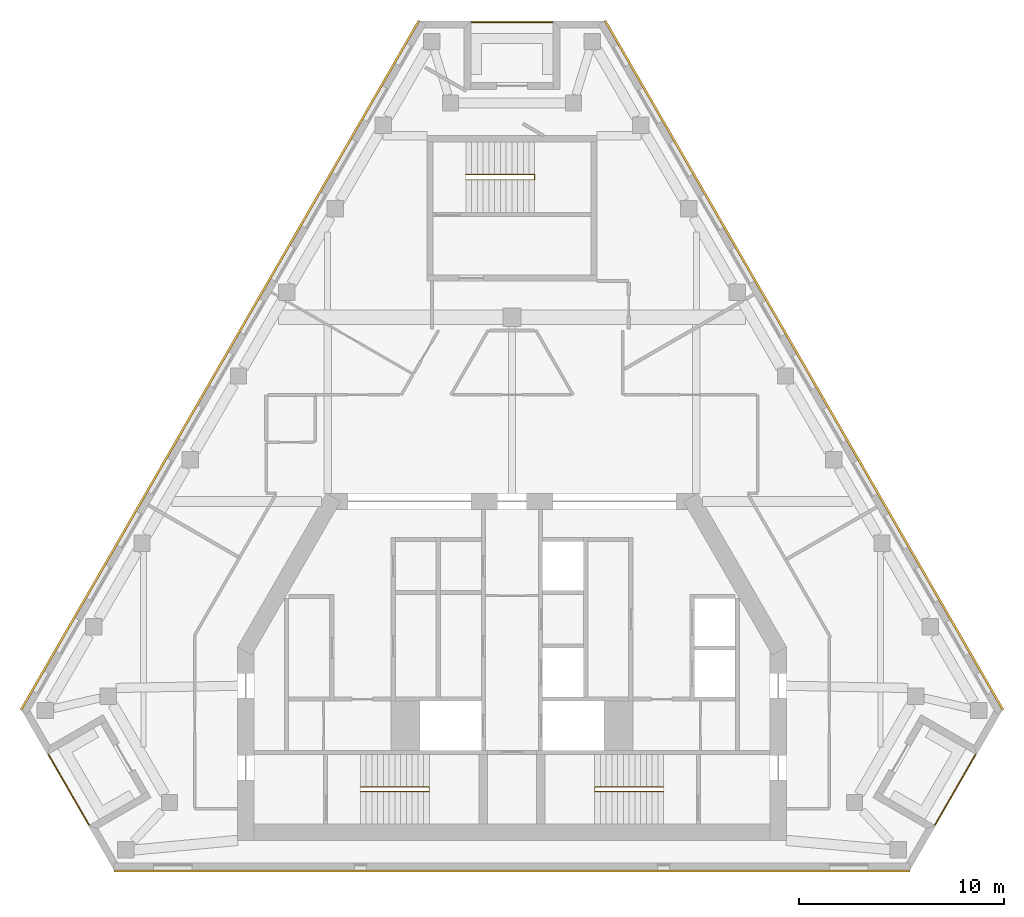
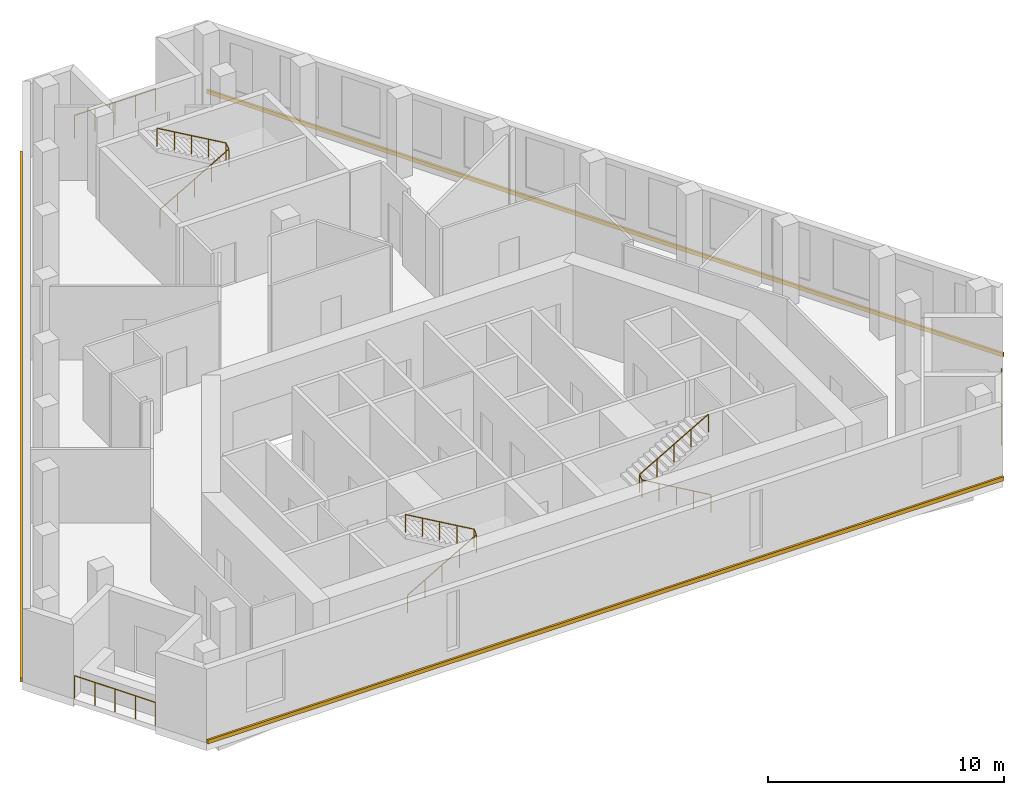
# One storey, part 8 of 8: 6 railings, 3 coverings.
"""IFC4 building model written with IfcOpenShell, lengths in metres."""

from ifc_helpers import new_model, si_unit, direction, frame, origin, origin_2d, place, context, subcontext, project, spatial, polyline, circle, outline, extrude, material, type_object, element, save


model = new_model("IFC4")

# Units and contexts
model_context = context("Model", 3, precision=1e-05, world=origin(), true_north=direction((0.0, 1.0)))
body_context = subcontext(model_context, "Body", "Model", "MODEL_VIEW")
ifc_project = project(units=[si_unit("LENGTHUNIT", "METRE"), si_unit("AREAUNIT", "SQUARE_METRE"), si_unit("VOLUMEUNIT", "CUBIC_METRE"), si_unit("PLANEANGLEUNIT", "RADIAN"), si_unit("MASSUNIT", "GRAM", prefix="KILO")], contexts=[model_context])

# Site, building, storey
site_placement = place(None, origin())
site = spatial("IfcSite", under=ifc_project, at=site_placement, CompositionType="ELEMENT")
building_placement = place(site_placement, origin())
building = spatial("IfcBuilding", under=site, at=building_placement, Name="Fogline Exchange Tower", CompositionType="ELEMENT")
storey_placement = place(building_placement, frame((0.0, 0.0, 335.10009765625)))
storey = spatial("IfcBuildingStorey", under=building, at=storey_placement, Name="L76", CompositionType="ELEMENT", Elevation=335.10009765625)

# Railings
ifc_material_1 = material(Name="Stainless steel 304", Category="steel")
railing_type_1 = type_object("IfcRailingType", Name="G1", PredefinedType="GUARDRAIL", material=ifc_material_1)
railing_1_placement = place(storey_placement, frame((-22.631103515625, 5.635986328125, 0.0)))
element("IfcRailing", 1, at=railing_1_placement, inside=storey, type_object=railing_type_1, Name="Balcony guard L76 SW", PredefinedType="GUARDRAIL", context=body_context, shape_type="SweptSolid", body=[
    extrude(circle(Radius=0.02392578125, at=origin_2d()), frame((0.0, 0.0, 1.17578125), z_axis=(0.500000102728, -0.866025344474, 0.0), x_axis=(0.866025344474, 0.500000102728, 0.0)), (0.0, 0.0, 1.0), 3.9580078125),
    extrude(circle(Radius=0.02099609375, at=origin_2d()), origin(), (0.0, 0.0, 1.0), 1.15185546875),
    extrude(circle(Radius=0.02099609375, at=origin_2d()), frame((0.49462890625, -0.85693359375, 0.0)), (0.0, 0.0, 1.0), 1.15185546875),
    extrude(circle(Radius=0.02099609375, at=origin_2d()), frame((0.989501953125, -1.7138671875, 0.0)), (0.0, 0.0, 1.0), 1.15185546875),
    extrude(circle(Radius=0.02099609375, at=origin_2d()), frame((1.484375, -2.57080078125, 0.0)), (0.0, 0.0, 1.0), 1.15185546875),
    extrude(circle(Radius=0.02099609375, at=origin_2d()), frame((1.97900390625, -3.427734375, 0.0)), (0.0, 0.0, 1.0), 1.15185546875),
])
railing_2_placement = place(storey_placement, frame((20.652099609375, 2.208251953125, 0.0)))
element("IfcRailing", 2, at=railing_2_placement, inside=storey, type_object=railing_type_1, Name="Balcony guard L76 SE", PredefinedType="GUARDRAIL", context=body_context, shape_type="SweptSolid", body=[
    extrude(circle(Radius=0.02392578125, at=origin_2d()), frame((0.0, 0.0, 1.17578125), z_axis=(0.500000102728, 0.866025344474, 0.0), x_axis=(-0.866025344474, 0.500000102728, 0.0)), (0.0, 0.0, 1.0), 3.9580078125),
    extrude(circle(Radius=0.02099609375, at=origin_2d()), origin(), (0.0, 0.0, 1.0), 1.15185546875),
    extrude(circle(Radius=0.02099609375, at=origin_2d()), frame((0.49462890625, 0.85693359375, 0.0)), (0.0, 0.0, 1.0), 1.15185546875),
    extrude(circle(Radius=0.02099609375, at=origin_2d()), frame((0.989501953125, 1.7138671875, 0.0)), (0.0, 0.0, 1.0), 1.15185546875),
    extrude(circle(Radius=0.02099609375, at=origin_2d()), frame((1.484375, 2.57080078125, 0.0)), (0.0, 0.0, 1.0), 1.15185546875),
    extrude(circle(Radius=0.02099609375, at=origin_2d()), frame((1.97900390625, 3.427734375, 0.0)), (0.0, 0.0, 1.0), 1.15185546875),
])
railing_3_placement = place(storey_placement, frame((1.97900390625, 41.40673828125, 0.0)))
element("IfcRailing", 3, at=railing_3_placement, inside=storey, type_object=railing_type_1, Name="Balcony guard L76 N", PredefinedType="GUARDRAIL", context=body_context, shape_type="SweptSolid", body=[
    extrude(circle(Radius=0.02392578125, at=origin_2d()), frame((0.0, 0.0, 1.17578125), z_axis=(-1.0, 0.0, 0.0), x_axis=(0.0, -1.0, 0.0)), (0.0, 0.0, 1.0), 3.9580078125),
    extrude(circle(Radius=0.02099609375, at=origin_2d()), origin(), (0.0, 0.0, 1.0), 1.15185546875),
    extrude(circle(Radius=0.02099609375, at=origin_2d()), frame((-0.989501953125, 0.0, 0.0)), (0.0, 0.0, 1.0), 1.15185546875),
    extrude(circle(Radius=0.02099609375, at=origin_2d()), frame((-1.97900390625, 0.0, 0.0)), (0.0, 0.0, 1.0), 1.15185546875),
    extrude(circle(Radius=0.02099609375, at=origin_2d()), frame((-2.968505859375, 0.0, 0.0)), (0.0, 0.0, 1.0), 1.15185546875),
    extrude(circle(Radius=0.02099609375, at=origin_2d()), frame((-3.9580078125, 0.0, 0.0)), (0.0, 0.0, 1.0), 1.15185546875),
])
ifc_material_2 = material(Name="Steel Q235B", Category="steel")
railing_type_2 = type_object("IfcRailingType", Name="RL-HR", PredefinedType="HANDRAIL", material=ifc_material_2)
railing_4_placement = place(storey_placement, frame((-7.39990234375, 3.85009765625, 0.161376953125)))
element("IfcRailing", 4, at=railing_4_placement, inside=storey, type_object=railing_type_2, Name="Handrail ST1", PredefinedType="HANDRAIL", context=body_context, shape_type="SweptSolid", body=[
    extrude(circle(Radius=0.02392578125, at=origin_2d()), frame((0.0, 0.0, 0.92578125), z_axis=(0.866175107563, 0.0, 0.499740615757), x_axis=(0.0, 1.0, 0.0)), (0.0, 0.0, 1.0), 3.87890625),
    extrude(circle(Radius=0.02392578125, at=origin_2d()), frame((3.35986328125, 0.0, 2.8642578125), z_axis=(0.0, 0.777709044463, 0.628624404682), x_axis=(-1.0, 0.0, 0.0)), (0.0, 0.0, 1.0), 0.257080078125),
    extrude(circle(Radius=0.02392578125, at=origin_2d()), frame((3.35986328125, 0.199951171875, 3.02587890625), z_axis=(-0.866175107563, 0.0, 0.499740615757), x_axis=(0.0, -1.0, 0.0)), (0.0, 0.0, 1.0), 3.87890625),
    extrude(circle(Radius=0.02099609375, at=origin_2d()), origin(), (0.0, 0.0, 1.0), 0.90185546875),
    extrude(circle(Radius=0.02099609375, at=origin_2d()), frame((0.83984375, 0.0, 0.484619140625)), (0.0, 0.0, 1.0), 0.90185546875),
    extrude(circle(Radius=0.02099609375, at=origin_2d()), frame((1.679931640625, 0.0, 0.96923828125)), (0.0, 0.0, 1.0), 0.90185546875),
    extrude(circle(Radius=0.02099609375, at=origin_2d()), frame((2.52001953125, 0.0, 1.453857421875)), (0.0, 0.0, 1.0), 0.90185546875),
    extrude(circle(Radius=0.02099609375, at=origin_2d()), frame((3.35986328125, 0.0, 1.9384765625)), (0.0, 0.0, 1.0), 0.90185546875),
    extrude(circle(Radius=0.02099609375, at=origin_2d()), frame((3.35986328125, 0.199951171875, 2.10009765625)), (0.0, 0.0, 1.0), 0.90185546875),
    extrude(circle(Radius=0.02099609375, at=origin_2d()), frame((2.52001953125, 0.199951171875, 2.584716796875)), (0.0, 0.0, 1.0), 0.90185546875),
    extrude(circle(Radius=0.02099609375, at=origin_2d()), frame((1.679931640625, 0.199951171875, 3.0693359375)), (0.0, 0.0, 1.0), 0.90185546875),
    extrude(circle(Radius=0.02099609375, at=origin_2d()), frame((0.83984375, 0.199951171875, 3.553955078125)), (0.0, 0.0, 1.0), 0.90185546875),
    extrude(circle(Radius=0.02099609375, at=origin_2d()), frame((0.0, 0.199951171875, 4.03857421875)), (0.0, 0.0, 1.0), 0.90185546875),
])
railing_5_placement = place(storey_placement, frame((7.39990234375, 3.85009765625, 0.161376953125)))
element("IfcRailing", 5, at=railing_5_placement, inside=storey, type_object=railing_type_2, Name="Handrail ST2", PredefinedType="HANDRAIL", context=body_context, shape_type="SweptSolid", body=[
    extrude(circle(Radius=0.02392578125, at=origin_2d()), frame((0.0, 0.0, 0.92578125), z_axis=(-0.866175107563, 0.0, 0.499740615757), x_axis=(0.0, -1.0, 0.0)), (0.0, 0.0, 1.0), 3.87890625),
    extrude(circle(Radius=0.02392578125, at=origin_2d()), frame((-3.35986328125, 0.0, 2.8642578125), z_axis=(0.0, 0.777709044463, 0.628624404682), x_axis=(-1.0, 0.0, 0.0)), (0.0, 0.0, 1.0), 0.257080078125),
    extrude(circle(Radius=0.02392578125, at=origin_2d()), frame((-3.35986328125, 0.199951171875, 3.02587890625), z_axis=(0.866175107563, 0.0, 0.499740615757), x_axis=(0.0, 1.0, 0.0)), (0.0, 0.0, 1.0), 3.87890625),
    extrude(circle(Radius=0.02099609375, at=origin_2d()), origin(), (0.0, 0.0, 1.0), 0.90185546875),
    extrude(circle(Radius=0.02099609375, at=origin_2d()), frame((-0.83984375, 0.0, 0.484619140625)), (0.0, 0.0, 1.0), 0.90185546875),
    extrude(circle(Radius=0.02099609375, at=origin_2d()), frame((-1.679931640625, 0.0, 0.96923828125)), (0.0, 0.0, 1.0), 0.90185546875),
    extrude(circle(Radius=0.02099609375, at=origin_2d()), frame((-2.52001953125, 0.0, 1.453857421875)), (0.0, 0.0, 1.0), 0.90185546875),
    extrude(circle(Radius=0.02099609375, at=origin_2d()), frame((-3.35986328125, 0.0, 1.9384765625)), (0.0, 0.0, 1.0), 0.90185546875),
    extrude(circle(Radius=0.02099609375, at=origin_2d()), frame((-3.35986328125, 0.199951171875, 2.10009765625)), (0.0, 0.0, 1.0), 0.90185546875),
    extrude(circle(Radius=0.02099609375, at=origin_2d()), frame((-2.52001953125, 0.199951171875, 2.584716796875)), (0.0, 0.0, 1.0), 0.90185546875),
    extrude(circle(Radius=0.02099609375, at=origin_2d()), frame((-1.679931640625, 0.199951171875, 3.0693359375)), (0.0, 0.0, 1.0), 0.90185546875),
    extrude(circle(Radius=0.02099609375, at=origin_2d()), frame((-0.83984375, 0.199951171875, 3.553955078125)), (0.0, 0.0, 1.0), 0.90185546875),
    extrude(circle(Radius=0.02099609375, at=origin_2d()), frame((0.0, 0.199951171875, 4.03857421875)), (0.0, 0.0, 1.0), 0.90185546875),
])
railing_6_placement = place(storey_placement, frame((-2.25, 33.70703125, 0.161376953125)))
element("IfcRailing", 6, at=railing_6_placement, inside=storey, type_object=railing_type_2, Name="Handrail ST3", PredefinedType="HANDRAIL", context=body_context, shape_type="SweptSolid", body=[
    extrude(circle(Radius=0.02392578125, at=origin_2d()), frame((0.0, 0.0, 0.92578125), z_axis=(0.866190824863, 0.0, 0.499713372768), x_axis=(0.0, 1.0, 0.0)), (0.0, 0.0, 1.0), 3.879150390625),
    extrude(circle(Radius=0.02392578125, at=origin_2d()), frame((3.360107421875, 0.0, 2.8642578125), z_axis=(0.0, 0.839790117141, 0.542911189011), x_axis=(-1.0, 0.0, 0.0)), (0.0, 0.0, 1.0), 0.297607421875),
    extrude(circle(Radius=0.02392578125, at=origin_2d()), frame((3.360107421875, 0.25, 3.02587890625), z_axis=(-0.866190824863, 0.0, 0.499713372768), x_axis=(0.0, -1.0, 0.0)), (0.0, 0.0, 1.0), 3.879150390625),
    extrude(circle(Radius=0.02099609375, at=origin_2d()), origin(), (0.0, 0.0, 1.0), 0.90185546875),
    extrude(circle(Radius=0.02099609375, at=origin_2d()), frame((0.840087890625, 0.0, 0.484619140625)), (0.0, 0.0, 1.0), 0.90185546875),
    extrude(circle(Radius=0.02099609375, at=origin_2d()), frame((1.68017578125, 0.0, 0.96923828125)), (0.0, 0.0, 1.0), 0.90185546875),
    extrude(circle(Radius=0.02099609375, at=origin_2d()), frame((2.52001953125, 0.0, 1.453857421875)), (0.0, 0.0, 1.0), 0.90185546875),
    extrude(circle(Radius=0.02099609375, at=origin_2d()), frame((3.360107421875, 0.0, 1.9384765625)), (0.0, 0.0, 1.0), 0.90185546875),
    extrude(circle(Radius=0.02099609375, at=origin_2d()), frame((3.360107421875, 0.25, 2.10009765625)), (0.0, 0.0, 1.0), 0.90185546875),
    extrude(circle(Radius=0.02099609375, at=origin_2d()), frame((2.52001953125, 0.25, 2.584716796875)), (0.0, 0.0, 1.0), 0.90185546875),
    extrude(circle(Radius=0.02099609375, at=origin_2d()), frame((1.68017578125, 0.25, 3.0693359375)), (0.0, 0.0, 1.0), 0.90185546875),
    extrude(circle(Radius=0.02099609375, at=origin_2d()), frame((0.840087890625, 0.25, 3.553955078125)), (0.0, 0.0, 1.0), 0.90185546875),
    extrude(circle(Radius=0.02099609375, at=origin_2d()), frame((0.0, 0.25, 4.03857421875)), (0.0, 0.0, 1.0), 0.90185546875),
])

# Coverings
ifc_material_3 = material(Name="Brick masonry", Category="masonry")
covering_type = type_object("IfcCoveringType", Name="SB1", PredefinedType="CLADDING", material=ifc_material_3)
covering_1_placement = place(storey_placement, origin())
element("IfcCovering", 7, at=covering_1_placement, inside=storey, type_object=covering_type, Name="Stringcourse band L76 S", PredefinedType="CLADDING", context=body_context, shape_type="SweptSolid", body=[
    extrude(outline(polyline([(-19.43505859375, 0.0), (-19.43505859375, -0.10009765625), (19.43505859375, -0.10009765625), (19.43505859375, 0.0), (-19.43505859375, 0.0)])), origin(), (0.0, 0.0, 1.0), 0.199951171875),
])
covering_2_placement = place(storey_placement, origin())
element("IfcCovering", 8, at=covering_2_placement, inside=storey, type_object=covering_type, Name="Stringcourse band L76 E", PredefinedType="CLADDING", context=body_context, shape_type="SweptSolid", body=[
    extrude(outline(polyline([(23.93505859375, 7.794189453125), (24.021484375, 7.84423828125), (4.586669921875, 41.506591796875), (4.5, 41.456787109375), (23.93505859375, 7.794189453125)])), origin(), (0.0, 0.0, 1.0), 0.199951171875),
])
covering_3_placement = place(storey_placement, origin())
element("IfcCovering", 9, at=covering_3_placement, inside=storey, type_object=covering_type, Name="Stringcourse band L76 W", PredefinedType="CLADDING", context=body_context, shape_type="SweptSolid", body=[
    extrude(outline(polyline([(-4.5, 41.456787109375), (-4.586669921875, 41.506591796875), (-24.021484375, 7.84423828125), (-23.93505859375, 7.794189453125), (-4.5, 41.456787109375)])), origin(), (0.0, 0.0, 1.0), 0.199951171875),
])

save(model, "model.ifc")
